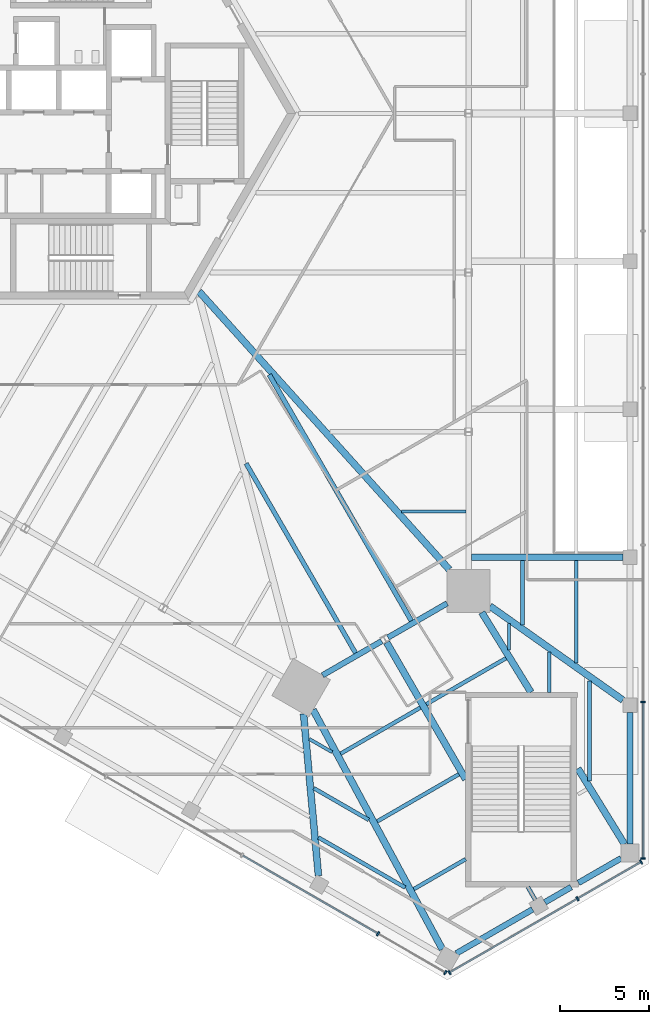
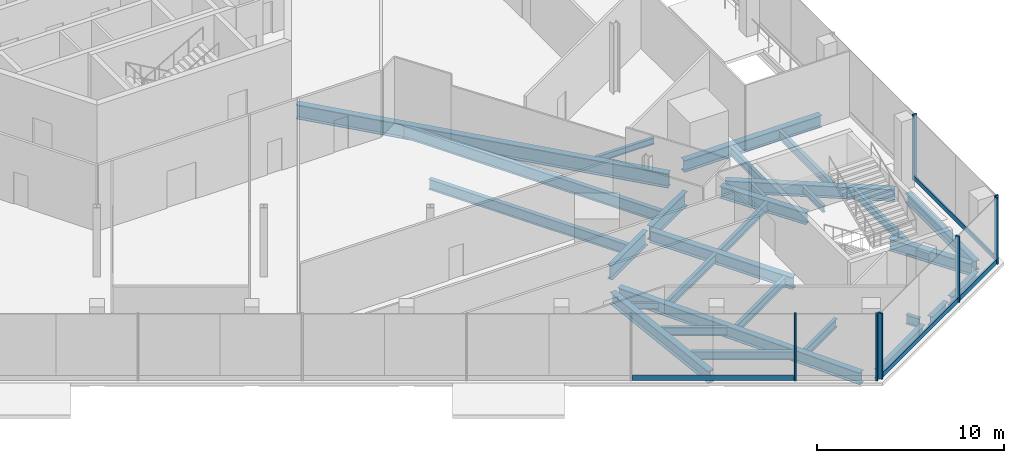
# One storey, part 10 of 27: 30 beams, 11 members, 3 elements without a shape of their own.
"""IFC4 building model written with IfcOpenShell, lengths in metres."""

import ifcopenshell
import ifcopenshell.guid

model = None  # the IFC model being written
_history = None  # IfcOwnerHistory: only IFC2X3 demands one
_inside = {}  # id of a spatial element -> (the spatial element, [elements in it])
_under = {}  # id of a project, library or spatial element -> (it, [spatial elements below it])
_declared = {}  # id of a project -> (the project, [libraries it declares])
_typed = {}  # id of a type object -> (the type object, [elements of that type])
_made_of = {}  # id of a material, layer set ... -> (it, [elements and type objects made of it])


def new_model(schema):
    """Start an empty IFC model of exactly this schema.

    Asked for "IFC4X3", IfcOpenShell would pick the latest addendum, in which some entities
    have other attributes; the version numbers below select the first issue.
    IFC2X3 requires an IfcOwnerHistory on every rooted entity: one is made here for all.
    """
    global model, _history
    if schema == "IFC4X3":
        model = ifcopenshell.file(schema_version=(4, 3, 0, 0))
    else:
        model = ifcopenshell.file(schema=schema)
    _inside.clear()
    _under.clear()
    _declared.clear()
    _typed.clear()
    _made_of.clear()
    _history = None
    if model.schema == "IFC2X3":
        org = make("IfcOrganization", Name="unknown")
        user = make(
            "IfcPersonAndOrganization",
            ThePerson=make("IfcPerson", FamilyName="unknown"),
            TheOrganization=org,
        )
        app = make(
            "IfcApplication",
            ApplicationDeveloper=org,
            Version="unknown",
            ApplicationFullName="unknown",
            ApplicationIdentifier="unknown",
        )
        _history = make(
            "IfcOwnerHistory",
            OwningUser=user,
            OwningApplication=app,
            ChangeAction="ADDED",
            CreationDate=0,
        )
    return model


def make(cls, **values):
    """One entity of the class cls with the attributes given. An attribute that is None is left unset."""
    return model.create_entity(
        cls, **{name: value for name, value in values.items() if value is not None}
    )


def rooted(cls, **values):
    """An entity with a GlobalId (a new one), such as an element, a storey or a relation."""
    return make(cls, GlobalId=ifcopenshell.guid.new(), OwnerHistory=_history, **values)


def si_unit(unit_type, name, prefix=None):
    """IfcSIUnit, for example si_unit("LENGTHUNIT", "METRE", prefix="MILLI")."""
    return make("IfcSIUnit", UnitType=unit_type, Prefix=prefix, Name=name)


def assignment(units):
    """IfcUnitAssignment: the units of a project."""
    return None if units is None else make("IfcUnitAssignment", Units=units)


def point(xyz):
    """IfcCartesianPoint."""
    return None if xyz is None else make("IfcCartesianPoint", Coordinates=xyz)


def direction(xyz):
    """IfcDirection."""
    return None if xyz is None else make("IfcDirection", DirectionRatios=xyz)


def frame(location, z_axis=None, x_axis=None):
    """IfcAxis2Placement3D, a coordinate frame: its origin and axes. An axis left out is left unset."""
    return make(
        "IfcAxis2Placement3D",
        Location=point(location),
        Axis=direction(z_axis),
        RefDirection=direction(x_axis),
    )


def frame_2d(location, x_axis=None):
    """IfcAxis2Placement2D, a coordinate frame in the plane: its origin and x axis."""
    return make(
        "IfcAxis2Placement2D", Location=point(location), RefDirection=direction(x_axis)
    )


def origin():
    """The frame at (0, 0, 0) with its axes left unset."""
    return frame((0.0, 0.0, 0.0))


def origin_2d():
    """The frame at (0, 0) in the plane with its x axis left unset."""
    return frame_2d((0.0, 0.0))


def place(relative_to, where):
    """IfcLocalPlacement: puts the frame where relative to a parent placement (None: the world)."""
    return make(
        "IfcLocalPlacement", PlacementRelTo=relative_to, RelativePlacement=where
    )


def context(
    kind, dimensions, precision=None, world=None, true_north=None, identifier=None
):
    """IfcGeometricRepresentationContext, for example the 3D "Model" context."""
    return make(
        "IfcGeometricRepresentationContext",
        ContextIdentifier=identifier,
        ContextType=kind,
        CoordinateSpaceDimension=dimensions,
        Precision=precision,
        WorldCoordinateSystem=world,
        TrueNorth=true_north,
    )


def subcontext(parent, identifier, kind, view, scale=None):
    """IfcGeometricRepresentationSubContext, for example "Body" below "Model"."""
    return make(
        "IfcGeometricRepresentationSubContext",
        ContextIdentifier=identifier,
        ContextType=kind,
        ParentContext=parent,
        TargetScale=scale,
        TargetView=view,
    )


def project(units=None, contexts=None):
    """IfcProject with its units and contexts."""
    return rooted(
        "IfcProject",
        Name="project",
        RepresentationContexts=contexts,
        UnitsInContext=assignment(units),
    )


def spatial(cls, under=None, at=None, **own):
    """A site, building, storey or space (cls), placed at a placement, below another one or the project."""
    s = rooted(cls, ObjectPlacement=at, **own)
    if under is not None:
        _under.setdefault(under.id(), (under, []))[1].append(s)
    return s


def profile(cls, at=None, kind="AREA", **sizes):
    """A parametric profile (cls). Its sizes go by their IFC names, for example OverallWidth=200.0."""
    return make(cls, ProfileType=kind, Position=at, **sizes)


def rectangle(**sizes):
    """IfcRectangleProfileDef."""
    return profile("IfcRectangleProfileDef", **sizes)


def i_section(**sizes):
    """IfcIShapeProfileDef."""
    return profile("IfcIShapeProfileDef", **sizes)


def extrude(swept, where, along, depth):
    """IfcExtrudedAreaSolid: the profile swept, set in the frame where, extruded along a direction by depth."""
    return make(
        "IfcExtrudedAreaSolid",
        SweptArea=swept,
        Position=where,
        ExtrudedDirection=direction(along),
        Depth=depth,
    )


def shape(context_of_items, identifier, shape_type, items):
    """IfcShapeRepresentation: the items that make up one representation, for example the "Body"."""
    return make(
        "IfcShapeRepresentation",
        ContextOfItems=context_of_items,
        RepresentationIdentifier=identifier,
        RepresentationType=shape_type,
        Items=items,
    )


def source(mapping_origin, context_of_items, identifier, shape_type, items):
    """IfcRepresentationMap: a shape defined once, which mapped items show again and again."""
    return make(
        "IfcRepresentationMap",
        MappingOrigin=mapping_origin,
        MappedRepresentation=shape(context_of_items, identifier, shape_type, items),
    )


def transform(
    local_origin,
    x_axis=None,
    y_axis=None,
    z_axis=None,
    scale=None,
    scale2=None,
    scale3=None,
    uniform=True,
):
    """IfcCartesianTransformationOperator3D, or its non-uniform kind. x_axis, y_axis, z_axis: its Axis1, 2, 3."""
    if uniform:
        return make(
            "IfcCartesianTransformationOperator3D",
            Axis1=direction(x_axis),
            Axis2=direction(y_axis),
            LocalOrigin=point(local_origin),
            Scale=scale,
            Axis3=direction(z_axis),
        )
    return make(
        "IfcCartesianTransformationOperator3DnonUniform",
        Axis1=direction(x_axis),
        Axis2=direction(y_axis),
        LocalOrigin=point(local_origin),
        Scale=scale,
        Axis3=direction(z_axis),
        Scale2=scale2,
        Scale3=scale3,
    )


def mapped(mapping_source, mapping_target):
    """IfcMappedItem: shows the shape of a source again, moved by a transform."""
    return make(
        "IfcMappedItem", MappingSource=mapping_source, MappingTarget=mapping_target
    )


def material(Name=None, Category=None):
    """IfcMaterial."""
    return make("IfcMaterial", Name=Name, Category=Category)


def material_profile(
    of_material, cross_section, Name=None, Category=None, Priority=None
):
    """IfcMaterialProfile: a cross section and its material."""
    return make(
        "IfcMaterialProfile",
        Name=Name,
        Material=of_material,
        Profile=cross_section,
        Priority=Priority,
        Category=Category,
    )


def profile_set(profiles, Name=None, composite=None):
    """IfcMaterialProfileSet."""
    return make(
        "IfcMaterialProfileSet",
        Name=Name,
        MaterialProfiles=profiles,
        CompositeProfile=composite,
    )


def made_of(thing, what):
    """Note that an element or type object is made of a material, layer set ...; save() writes the relation."""
    if what is not None:
        _made_of.setdefault(what.id(), (what, []))[1].append(thing)
    return thing


def type_object(cls, material=None, **own):
    """A type object (cls), such as IfcWallType, which elements share."""
    return made_of(rooted(cls, **own), material)


def element(
    cls,
    number,
    at=None,
    inside=None,
    cuts=None,
    type_object=None,
    material=None,
    context=None,
    identifier="Body",
    shape_type=None,
    held_by="IfcProductDefinitionShape",
    body=None,
    shapes=None,
    **own,
):
    """One element of the class cls, such as IfcWall. Its Tag is "e" and its number.

    at: its placement. inside: the storey or other place that contains it. cuts: it is an
    opening in that element (IfcRelVoidsElement). A single representation is given by context,
    identifier, shape_type and body (its items); several are given by shapes. held_by: the class
    of the entity that holds the representations. save() writes the other relations.
    """
    e = rooted(cls, Tag="e%d" % number, ObjectPlacement=at, **own)
    if body is not None:
        shapes = [shape(context, identifier, shape_type, body)]
    if shapes is not None:
        e.Representation = make(held_by, Representations=shapes)
    if inside is not None:
        _inside.setdefault(inside.id(), (inside, []))[1].append(e)
    if cuts is not None:
        rooted(
            "IfcRelVoidsElement", RelatingBuildingElement=cuts, RelatedOpeningElement=e
        )
    if type_object is not None:
        _typed.setdefault(type_object.id(), (type_object, []))[1].append(e)
    return made_of(e, material)


def aggregate(whole, parts):
    """IfcRelAggregates: a whole, such as a stair, and the parts it consists of."""
    return rooted("IfcRelAggregates", RelatingObject=whole, RelatedObjects=parts)


def save(model, path):
    """Write the relations noted so far, then the file.

    IfcRelAggregates (storeys below a building ...), IfcRelContainedInSpatialStructure (elements
    in a storey), IfcRelDefinesByType, IfcRelAssociatesMaterial and IfcRelDeclares: one each for
    every whole, place, type object, material and project.
    """
    for whole, parts in _under.values():
        aggregate(whole, parts)
    for where, things in _inside.values():
        rooted(
            "IfcRelContainedInSpatialStructure",
            RelatedElements=things,
            RelatingStructure=where,
        )
    for kind, things in _typed.values():
        rooted("IfcRelDefinesByType", RelatedObjects=things, RelatingType=kind)
    for what, things in _made_of.values():
        rooted("IfcRelAssociatesMaterial", RelatedObjects=things, RelatingMaterial=what)
    for by, libraries in _declared.values():
        rooted("IfcRelDeclares", RelatingContext=by, RelatedDefinitions=libraries)
    model.write(path)


model = new_model("IFC4")

# Units and contexts
model_context = context("Model", 3, precision=1e-05, world=origin(), true_north=direction((0.0, 1.0)))
body_context = subcontext(model_context, "Body", "Model", "MODEL_VIEW")
ifc_project = project(units=[si_unit("LENGTHUNIT", "METRE"), si_unit("AREAUNIT", "SQUARE_METRE"), si_unit("VOLUMEUNIT", "CUBIC_METRE"), si_unit("PLANEANGLEUNIT", "RADIAN"), si_unit("MASSUNIT", "GRAM", prefix="KILO")], contexts=[model_context])

# Site, building, storey
site_placement = place(None, origin())
site = spatial("IfcSite", under=ifc_project, at=site_placement, CompositionType="ELEMENT")
building_placement = place(site_placement, origin())
building = spatial("IfcBuilding", under=site, at=building_placement, Name="Triune Harvest Tower", CompositionType="ELEMENT")
storey_placement = place(building_placement, frame((0.0, 0.0, 7.0)))
storey = spatial("IfcBuildingStorey", under=building, at=storey_placement, Name="L01", CompositionType="ELEMENT", Elevation=7.0)

# Beams
ifc_material_1 = material(Name="Steel ASTM A992 Gr 50", Category="steel")
ifc_material_profile_1 = material_profile(ifc_material_1, i_section(OverallWidth=0.309814453125, OverallDepth=0.93212890625, WebThickness=0.02099609375, FlangeThickness=0.034423828125, at=origin_2d()), Name="W36x210")
ifc_profile_set_1 = profile_set([ifc_material_profile_1], Name="Steel ASTM A992 Gr 50")
beam_type_1 = type_object("IfcBeamType", Name="SB-3 Spandrel beam W36x210", PredefinedType="SPANDREL", material=ifc_profile_set_1)
shared_shape_1 = source(origin(), body_context, "Body", "SweptSolid", [
    extrude(i_section(OverallWidth=0.309814453125, OverallDepth=0.93212890625, WebThickness=0.02099609375, FlangeThickness=0.034423828125, at=origin_2d()), origin(), (0.0, 0.0, 1.0), 3.822265625),
])
beam_1_placement = place(storey_placement, frame((17.169189453125, -29.333984375, -0.666015625), z_axis=(0.866033487859, 0.499985997711, 0.0), x_axis=(-0.499985997711, 0.866033487859, 0.0)))
element("IfcBeam", 1, at=beam_1_placement, inside=storey, type_object=beam_type_1, Name="beam/L01/SB24", PredefinedType="SPANDREL", context=body_context, shape_type="MappedRepresentation", body=[
    mapped(shared_shape_1, transform((0.0, 0.0, 0.0), scale=1.0)),
])
shared_shape_2 = source(origin(), body_context, "Body", "SweptSolid", [
    extrude(i_section(OverallWidth=0.309814453125, OverallDepth=0.93212890625, WebThickness=0.02099609375, FlangeThickness=0.034423828125, at=origin_2d()), origin(), (0.0, 0.0, 1.0), 3.822509765625),
])
beam_2_placement = place(storey_placement, frame((13.509033203125, -31.447265625, -0.666015625), z_axis=(0.866005830769, 0.500033899925, 0.0), x_axis=(-0.500033899925, 0.866005830769, 0.0)))
element("IfcBeam", 2, at=beam_2_placement, inside=storey, type_object=beam_type_1, Name="beam/L01/SB23", PredefinedType="SPANDREL", context=body_context, shape_type="MappedRepresentation", body=[
    mapped(shared_shape_2, transform((0.0, 0.0, 0.0), scale=1.0)),
])
ifc_material_2 = material(Name="Steel ASTM A992 Gr 50", Category="steel")
ifc_material_profile_2 = material_profile(ifc_material_2, i_section(OverallWidth=0.383544921875, OverallDepth=0.9423828125, WebThickness=0.022216796875, FlangeThickness=0.039794921875, at=origin_2d()), Name="W36x232")
ifc_profile_set_2 = profile_set([ifc_material_profile_2], Name="Steel ASTM A992 Gr 50")
beam_type_2 = type_object("IfcBeamType", Name="HG-1 Hip girder W36x232", PredefinedType="BEAM", material=ifc_profile_set_2)
shared_shape_3 = source(origin(), body_context, "Body", "SweptSolid", [
    extrude(i_section(OverallWidth=0.383544921875, OverallDepth=0.9423828125, WebThickness=0.022216796875, FlangeThickness=0.039794921875, at=origin_2d()), origin(), (0.0, 0.0, 1.0), 20.933349609375),
])
beam_3_placement = place(storey_placement, frame((20.599365234375, -25.530029296875, -0.671142578125), z_axis=(-0.668990505388, 0.743270949049, 0.0), x_axis=(-0.743270949049, -0.668990505388, 0.0)))
element("IfcBeam", 3, at=beam_3_placement, inside=storey, type_object=beam_type_2, Name="beam/L01/HG1", PredefinedType="BEAM", context=body_context, shape_type="MappedRepresentation", body=[
    mapped(shared_shape_3, transform((0.0, 0.0, 0.0), scale=1.0)),
])
ifc_material_3 = material(Name="Steel ASTM A992 Gr 50", Category="steel")
ifc_material_profile_3 = material_profile(ifc_material_3, i_section(OverallWidth=0.180908203125, OverallDepth=0.41650390625, WebThickness=0.010986328125, FlangeThickness=0.01806640625, at=origin_2d()), Name="W16x57")
ifc_profile_set_3 = profile_set([ifc_material_profile_3], Name="Steel ASTM A992 Gr 50")
beam_type_3 = type_object("IfcBeamType", Name="JT-1 Floor joist W16x57", PredefinedType="JOIST", material=ifc_profile_set_3)
shared_shape_4 = source(origin(), body_context, "Body", "SweptSolid", [
    extrude(i_section(OverallWidth=0.180908203125, OverallDepth=0.41650390625, WebThickness=0.010986328125, FlangeThickness=0.01806640625, at=origin_2d()), origin(), (0.0, 0.0, 1.0), 3.596923828125),
])
beam_4_placement = place(storey_placement, frame((21.524658203125, -22.27490234375, -0.408203125), z_axis=(-1.0, 0.0, 0.0), x_axis=(0.0, -1.0, 0.0)))
element("IfcBeam", 4, at=beam_4_placement, inside=storey, type_object=beam_type_3, Name="beam/L01/JT1", PredefinedType="JOIST", context=body_context, shape_type="MappedRepresentation", body=[
    mapped(shared_shape_4, transform((0.0, 0.0, 0.0), scale=1.0)),
])
ifc_material_4 = material(Name="Steel ASTM A992 Gr 50", Category="steel")
ifc_material_profile_4 = material_profile(ifc_material_4, i_section(OverallWidth=0.2666015625, OverallDepth=0.7568359375, WebThickness=0.013916015625, FlangeThickness=0.019287109375, at=origin_2d()), Name="W30x108")
ifc_profile_set_4 = profile_set([ifc_material_profile_4], Name="Steel ASTM A992 Gr 50")
beam_type_4 = type_object("IfcBeamType", Name="JT-5 Floor joist W30x108", PredefinedType="JOIST", material=ifc_profile_set_4)
shared_shape_5 = source(origin(), body_context, "Body", "SweptSolid", [
    extrude(i_section(OverallWidth=0.2666015625, OverallDepth=0.7568359375, WebThickness=0.013916015625, FlangeThickness=0.019287109375, at=origin_2d()), origin(), (0.0, 0.0, 1.0), 15.9052734375),
])
beam_5_placement = place(storey_placement, frame((18.478515625, -28.399169921875, -0.57861328125), z_axis=(-0.499998823592, 0.866026082983, 0.0), x_axis=(-0.866026082983, -0.499998823592, 0.0)))
element("IfcBeam", 5, at=beam_5_placement, inside=storey, type_object=beam_type_4, Name="beam/L01/JT39", PredefinedType="JOIST", context=body_context, shape_type="MappedRepresentation", body=[
    mapped(shared_shape_5, transform((0.0, 0.0, 0.0), scale=1.0)),
])
ifc_material_5 = material(Name="Steel ASTM A992 Gr 50", Category="steel")
ifc_material_profile_5 = material_profile(ifc_material_5, i_section(OverallWidth=0.253662109375, OverallDepth=0.683349609375, WebThickness=0.012451171875, FlangeThickness=0.01904296875, at=origin_2d()), Name="W27x94")
ifc_profile_set_5 = profile_set([ifc_material_profile_5], Name="Steel ASTM A992 Gr 50")
beam_type_5 = type_object("IfcBeamType", Name="JT-4 Floor joist W27x94", PredefinedType="JOIST", material=ifc_profile_set_5)
shared_shape_6 = source(origin(), body_context, "Body", "SweptSolid", [
    extrude(i_section(OverallWidth=0.253662109375, OverallDepth=0.683349609375, WebThickness=0.012451171875, FlangeThickness=0.01904296875, at=origin_2d()), origin(), (0.0, 0.0, 1.0), 12.248291015625),
])
beam_6_placement = place(storey_placement, frame((15.35498046875, -30.202392578125, -0.54150390625), z_axis=(-0.499989318644, 0.86603157058, 0.0), x_axis=(-0.86603157058, -0.499989318644, 0.0)))
element("IfcBeam", 6, at=beam_6_placement, inside=storey, type_object=beam_type_5, Name="beam/L01/JT38", PredefinedType="JOIST", context=body_context, shape_type="MappedRepresentation", body=[
    mapped(shared_shape_6, transform((0.0, 0.0, 0.0), scale=1.0)),
])
ifc_material_6 = material(Name="Steel ASTM A992 Gr 50", Category="steel")
ifc_material_profile_6 = material_profile(ifc_material_6, i_section(OverallWidth=0.32763671875, OverallDepth=0.62744140625, WebThickness=0.0166015625, FlangeThickness=0.027587890625, at=origin_2d()), Name="W24x146")
ifc_profile_set_6 = profile_set([ifc_material_profile_6], Name="Steel ASTM A992 Gr 50")
beam_type_6 = type_object("IfcBeamType", Name="PD-4 Podium edge beam W24x146", PredefinedType="BEAM", material=ifc_profile_set_6)
shared_shape_7 = source(origin(), body_context, "Body", "SweptSolid", [
    extrude(i_section(OverallWidth=0.32763671875, OverallDepth=0.62744140625, WebThickness=0.0166015625, FlangeThickness=0.027587890625, at=origin_2d()), origin(), (0.0, 0.0, 1.0), 7.3798828125),
])
beam_7_placement = place(storey_placement, frame((30.715087890625, -40.89990234375, -0.513671875), z_axis=(0.0, 1.0, 0.0), x_axis=(-1.0, 0.0, 0.0)))
element("IfcBeam", 7, at=beam_7_placement, inside=storey, type_object=beam_type_6, Name="beam/L01/PE1", PredefinedType="BEAM", context=body_context, shape_type="MappedRepresentation", body=[
    mapped(shared_shape_7, transform((0.0, 0.0, 0.0), scale=1.0)),
])
shared_shape_8 = source(origin(), body_context, "Body", "SweptSolid", [
    extrude(i_section(OverallWidth=0.32763671875, OverallDepth=0.62744140625, WebThickness=0.0166015625, FlangeThickness=0.027587890625, at=origin_2d()), origin(), (0.0, 0.0, 1.0), 2.75390625),
])
beam_8_placement = place(storey_placement, frame((27.830078125, -43.065673828125, -0.513671875), z_axis=(0.866030577522, 0.499991038717, 0.0), x_axis=(-0.499991038717, 0.866030577522, 0.0)))
element("IfcBeam", 8, at=beam_8_placement, inside=storey, type_object=beam_type_6, Name="beam/L01/PE38", PredefinedType="BEAM", context=body_context, shape_type="MappedRepresentation", body=[
    mapped(shared_shape_8, transform((0.0, 0.0, 0.0), scale=1.0)),
])
shared_shape_9 = source(origin(), body_context, "Body", "SweptSolid", [
    extrude(i_section(OverallWidth=0.32763671875, OverallDepth=0.62744140625, WebThickness=0.0166015625, FlangeThickness=0.027587890625, at=origin_2d()), origin(), (0.0, 0.0, 1.0), 1.699951171875),
])
beam_9_placement = place(storey_placement, frame((25.951904296875, -44.14990234375, -0.513671875), z_axis=(0.866087547558, 0.499892348375, 0.0), x_axis=(-0.499892348375, 0.866087547558, 0.0)))
element("IfcBeam", 9, at=beam_9_placement, inside=storey, type_object=beam_type_6, Name="beam/L01/PE37", PredefinedType="BEAM", context=body_context, shape_type="MappedRepresentation", body=[
    mapped(shared_shape_9, transform((0.0, 0.0, 0.0), scale=1.0)),
])
shared_shape_10 = source(origin(), body_context, "Body", "SweptSolid", [
    extrude(i_section(OverallWidth=0.32763671875, OverallDepth=0.62744140625, WebThickness=0.0166015625, FlangeThickness=0.027587890625, at=origin_2d()), origin(), (0.0, 0.0, 1.0), 4.922607421875),
])
beam_10_placement = place(storey_placement, frame((20.995849609375, -47.01123046875, -0.513671875), z_axis=(0.866040230151, 0.499974319101, 0.0), x_axis=(-0.499974319101, 0.866040230151, 0.0)))
element("IfcBeam", 10, at=beam_10_placement, inside=storey, type_object=beam_type_6, Name="beam/L01/PE36", PredefinedType="BEAM", context=body_context, shape_type="MappedRepresentation", body=[
    mapped(shared_shape_10, transform((0.0, 0.0, 0.0), scale=1.0)),
])
ifc_material_7 = material(Name="Steel ASTM A992 Gr 50", Category="steel")
ifc_material_profile_7 = material_profile(ifc_material_7, i_section(OverallWidth=0.381103515625, OverallDepth=0.772216796875, WebThickness=0.0166015625, FlangeThickness=0.027099609375, at=origin_2d()), Name="W30x173")
ifc_profile_set_7 = profile_set([ifc_material_profile_7], Name="Steel ASTM A992 Gr 50")
beam_type_7 = type_object("IfcBeamType", Name="PD-3 Podium girder W30x173", PredefinedType="BEAM", material=ifc_profile_set_7)
shared_shape_11 = source(origin(), body_context, "Body", "SweptSolid", [
    extrude(i_section(OverallWidth=0.381103515625, OverallDepth=0.772216796875, WebThickness=0.0166015625, FlangeThickness=0.027099609375, at=origin_2d()), origin(), (0.0, 0.0, 1.0), 4.97119140625),
])
beam_11_placement = place(storey_placement, frame((30.406982421875, -40.89990234375, -0.586181640625), z_axis=(-0.524420727845, 0.851459276892, 0.0), x_axis=(-0.851459276892, -0.524420727845, 0.0)))
element("IfcBeam", 11, at=beam_11_placement, inside=storey, type_object=beam_type_7, Name="beam/L01/PR1", PredefinedType="BEAM", context=body_context, shape_type="MappedRepresentation", body=[
    mapped(shared_shape_11, transform((0.0, 0.0, 0.0), scale=1.0)),
])
shared_shape_12 = source(origin(), body_context, "Body", "SweptSolid", [
    extrude(i_section(OverallWidth=0.381103515625, OverallDepth=0.772216796875, WebThickness=0.0166015625, FlangeThickness=0.027099609375, at=origin_2d()), origin(), (0.0, 0.0, 1.0), 5.249755859375),
])
beam_12_placement = place(storey_placement, frame((25.171875, -32.39990234375, -0.586181640625), z_axis=(-0.524432098378, 0.851452273584, 0.0), x_axis=(-0.851452273584, -0.524432098378, 0.0)))
element("IfcBeam", 12, at=beam_12_placement, inside=storey, type_object=beam_type_7, Name="beam/L01/PR2", PredefinedType="BEAM", context=body_context, shape_type="MappedRepresentation", body=[
    mapped(shared_shape_12, transform((0.0, 0.0, 0.0), scale=1.0)),
])
shared_shape_13 = source(origin(), body_context, "Body", "SweptSolid", [
    extrude(i_section(OverallWidth=0.381103515625, OverallDepth=0.772216796875, WebThickness=0.0166015625, FlangeThickness=0.027099609375, at=origin_2d()), origin(), (0.0, 0.0, 1.0), 9.107421875),
])
beam_13_placement = place(storey_placement, frame((30.315185546875, -32.837158203125, -0.586181640625), z_axis=(-0.816463107169, 0.577397605323, 0.0), x_axis=(-0.577397605323, -0.816463107169, 0.0)))
element("IfcBeam", 13, at=beam_13_placement, inside=storey, type_object=beam_type_7, Name="beam/L01/PR3", PredefinedType="BEAM", context=body_context, shape_type="MappedRepresentation", body=[
    mapped(shared_shape_13, transform((0.0, 0.0, 0.0), scale=1.0)),
])
shared_shape_14 = source(origin(), body_context, "Body", "SweptSolid", [
    extrude(i_section(OverallWidth=0.381103515625, OverallDepth=0.772216796875, WebThickness=0.0166015625, FlangeThickness=0.027099609375, at=origin_2d()), origin(), (0.0, 0.0, 1.0), 8.480712890625),
])
beam_14_placement = place(storey_placement, frame((30.315185546875, -24.840087890625, -0.586181640625), z_axis=(-1.0, 0.0, 0.0), x_axis=(0.0, -1.0, 0.0)))
element("IfcBeam", 14, at=beam_14_placement, inside=storey, type_object=beam_type_7, Name="beam/L01/PR4", PredefinedType="BEAM", context=body_context, shape_type="MappedRepresentation", body=[
    mapped(shared_shape_14, transform((0.0, 0.0, 0.0), scale=1.0)),
])
ifc_material_8 = material(Name="Steel ASTM A992 Gr 50", Category="steel")
ifc_material_profile_8 = material_profile(ifc_material_8, i_section(OverallWidth=0.22900390625, OverallDepth=0.612060546875, WebThickness=0.011962890625, FlangeThickness=0.01953125, at=origin_2d()), Name="W24x84")
ifc_profile_set_8 = profile_set([ifc_material_profile_8], Name="Steel ASTM A992 Gr 50")
beam_type_8 = type_object("IfcBeamType", Name="PD-7 Podium short girder W24x84", PredefinedType="BEAM", material=ifc_profile_set_8)
shared_shape_15 = source(origin(), body_context, "Body", "SweptSolid", [
    extrude(i_section(OverallWidth=0.22900390625, OverallDepth=0.612060546875, WebThickness=0.011962890625, FlangeThickness=0.01953125, at=origin_2d()), origin(), (0.0, 0.0, 1.0), 0.8125),
])
beam_15_placement = place(storey_placement, frame((25.405517578125, -44.003662109375, -0.506103515625), z_axis=(-0.500017246033, 0.866015446554, 0.0), x_axis=(-0.866015446554, -0.500017246033, 0.0)))
element("IfcBeam", 15, at=beam_15_placement, inside=storey, type_object=beam_type_8, Name="beam/L01/PR39", PredefinedType="BEAM", context=body_context, shape_type="MappedRepresentation", body=[
    mapped(shared_shape_15, transform((0.0, 0.0, 0.0), scale=1.0)),
])
shared_shape_16 = source(origin(), body_context, "Body", "SweptSolid", [
    extrude(i_section(OverallWidth=0.381103515625, OverallDepth=0.772216796875, WebThickness=0.0166015625, FlangeThickness=0.027099609375, at=origin_2d()), origin(), (0.0, 0.0, 1.0), 8.84814453125),
])
beam_16_placement = place(storey_placement, frame((21.52001953125, -37.273681640625, -0.586181640625), z_axis=(-0.500005886554, 0.866022005154, 0.0), x_axis=(-0.866022005154, -0.500005886554, 0.0)))
element("IfcBeam", 16, at=beam_16_placement, inside=storey, type_object=beam_type_7, Name="beam/L01/PR40", PredefinedType="BEAM", context=body_context, shape_type="MappedRepresentation", body=[
    mapped(shared_shape_16, transform((0.0, 0.0, 0.0), scale=1.0)),
])
shared_shape_17 = source(origin(), body_context, "Body", "SweptSolid", [
    extrude(i_section(OverallWidth=0.381103515625, OverallDepth=0.772216796875, WebThickness=0.0166015625, FlangeThickness=0.027099609375, at=origin_2d()), origin(), (0.0, 0.0, 1.0), 15.232666015625),
])
beam_17_placement = place(storey_placement, frame((20.216796875, -46.783203125, -0.586181640625), z_axis=(-0.475168024555, 0.879895078086, 0.0), x_axis=(-0.879895078086, -0.475168024555, 0.0)))
element("IfcBeam", 17, at=beam_17_placement, inside=storey, type_object=beam_type_7, Name="beam/L01/PR38", PredefinedType="BEAM", context=body_context, shape_type="MappedRepresentation", body=[
    mapped(shared_shape_17, transform((0.0, 0.0, 0.0), scale=1.0)),
])
shared_shape_18 = source(origin(), body_context, "Body", "SweptSolid", [
    extrude(i_section(OverallWidth=0.381103515625, OverallDepth=0.772216796875, WebThickness=0.0166015625, FlangeThickness=0.027099609375, at=origin_2d()), origin(), (0.0, 0.0, 1.0), 9.107177734375),
])
beam_18_placement = place(storey_placement, frame((13.2802734375, -42.672119140625, -0.586181640625), z_axis=(-0.091816732647, 0.995775922387, 0.0), x_axis=(-0.995775922387, -0.091816732647, 0.0)))
element("IfcBeam", 18, at=beam_18_placement, inside=storey, type_object=beam_type_7, Name="beam/L01/PR37", PredefinedType="BEAM", context=body_context, shape_type="MappedRepresentation", body=[
    mapped(shared_shape_18, transform((0.0, 0.0, 0.0), scale=1.0)),
])
ifc_material_9 = material(Name="Steel ASTM A992 Gr 50", Category="steel")
ifc_material_profile_9 = material_profile(ifc_material_9, i_section(OverallWidth=0.2138671875, OverallDepth=0.548583984375, WebThickness=0.0146484375, FlangeThickness=0.023681640625, at=origin_2d()), Name="W21x93")
ifc_profile_set_9 = profile_set([ifc_material_profile_9], Name="Steel ASTM A992 Gr 50")
beam_type_9 = type_object("IfcBeamType", Name="PD-5 Podium joist W21x93", PredefinedType="JOIST", material=ifc_profile_set_9)
shared_shape_19 = source(origin(), body_context, "Body", "SweptSolid", [
    extrude(i_section(OverallWidth=0.2138671875, OverallDepth=0.548583984375, WebThickness=0.0146484375, FlangeThickness=0.023681640625, at=origin_2d()), origin(), (0.0, 0.0, 1.0), 5.613525390625),
])
beam_19_placement = place(storey_placement, frame((28.456298828125, -37.369384765625, -0.474365234375), z_axis=(0.0, 1.0, 0.0), x_axis=(-1.0, 0.0, 0.0)))
element("IfcBeam", 19, at=beam_19_placement, inside=storey, type_object=beam_type_9, Name="beam/L01/PJ1", PredefinedType="JOIST", context=body_context, shape_type="MappedRepresentation", body=[
    mapped(shared_shape_19, transform((0.0, 0.0, 0.0), scale=1.0)),
])
ifc_material_10 = material(Name="Steel ASTM A992 Gr 50", Category="steel")
ifc_material_profile_10 = material_profile(ifc_material_10, i_section(OverallWidth=0.180908203125, OverallDepth=0.41650390625, WebThickness=0.010986328125, FlangeThickness=0.01806640625, at=origin_2d()), Name="W16x57")
ifc_profile_set_10 = profile_set([ifc_material_profile_10], Name="Steel ASTM A992 Gr 50")
beam_type_10 = type_object("IfcBeamType", Name="PD-6 Podium short joist W16x57", PredefinedType="JOIST", material=ifc_profile_set_10)
shared_shape_20 = source(origin(), body_context, "Body", "SweptSolid", [
    extrude(i_section(OverallWidth=0.180908203125, OverallDepth=0.41650390625, WebThickness=0.010986328125, FlangeThickness=0.01806640625, at=origin_2d()), origin(), (0.0, 0.0, 1.0), 2.24169921875),
])
beam_20_placement = place(storey_placement, frame((26.197265625, -32.39990234375, -0.408203125), z_axis=(0.0, 1.0, 0.0), x_axis=(-1.0, 0.0, 0.0)))
element("IfcBeam", 20, at=beam_20_placement, inside=storey, type_object=beam_type_10, Name="beam/L01/PJ2", PredefinedType="JOIST", context=body_context, shape_type="MappedRepresentation", body=[
    mapped(shared_shape_20, transform((0.0, 0.0, 0.0), scale=1.0)),
])
shared_shape_21 = source(origin(), body_context, "Body", "SweptSolid", [
    extrude(i_section(OverallWidth=0.180908203125, OverallDepth=0.41650390625, WebThickness=0.010986328125, FlangeThickness=0.01806640625, at=origin_2d()), origin(), (0.0, 0.0, 1.0), 1.473388671875),
])
for number, where, z_axis, x_axis, name in (
    (21, (23.9384765625, -30.0341796875, -0.408203125), (0.0, 1.0, 0.0), (-1.0, 0.0, 0.0), "beam/L01/PJ3"),
    (22, (12.76513671875, -35.01171875, -0.408203125), (0.866083503307, -0.499899355171, 0.0), (0.499899355171, 0.866083503307, 0.0), "beam/L01/PJ77"),
):
    element("IfcBeam", number, at=place(storey_placement, frame(where, z_axis=z_axis, x_axis=x_axis)), inside=storey, type_object=beam_type_10, Name=name, PredefinedType="JOIST", context=body_context, shape_type="MappedRepresentation", body=[
        mapped(shared_shape_21, transform((0.0, 0.0, 0.0), scale=1.0)),
    ])
shared_shape_22 = source(origin(), body_context, "Body", "SweptSolid", [
    extrude(i_section(OverallWidth=0.2138671875, OverallDepth=0.548583984375, WebThickness=0.0146484375, FlangeThickness=0.023681640625, at=origin_2d()), origin(), (0.0, 0.0, 1.0), 5.72607421875),
])
beam_21_placement = place(storey_placement, frame((27.703125, -30.756591796875, -0.474365234375), z_axis=(0.0, 1.0, 0.0), x_axis=(-1.0, 0.0, 0.0)))
element("IfcBeam", 23, at=beam_21_placement, inside=storey, type_object=beam_type_9, Name="beam/L01/PJ4", PredefinedType="JOIST", context=body_context, shape_type="MappedRepresentation", body=[
    mapped(shared_shape_22, transform((0.0, 0.0, 0.0), scale=1.0)),
])
shared_shape_23 = source(origin(), body_context, "Body", "SweptSolid", [
    extrude(i_section(OverallWidth=0.2138671875, OverallDepth=0.548583984375, WebThickness=0.0146484375, FlangeThickness=0.023681640625, at=origin_2d()), origin(), (0.0, 0.0, 1.0), 3.59619140625),
])
beam_22_placement = place(storey_placement, frame((24.69140625, -28.626708984375, -0.474365234375), z_axis=(0.0, 1.0, 0.0), x_axis=(-1.0, 0.0, 0.0)))
element("IfcBeam", 24, at=beam_22_placement, inside=storey, type_object=beam_type_9, Name="beam/L01/PJ5", PredefinedType="JOIST", context=body_context, shape_type="MappedRepresentation", body=[
    mapped(shared_shape_23, transform((0.0, 0.0, 0.0), scale=1.0)),
])
shared_shape_24 = source(origin(), body_context, "Body", "SweptSolid", [
    extrude(i_section(OverallWidth=0.2138671875, OverallDepth=0.548583984375, WebThickness=0.0146484375, FlangeThickness=0.023681640625, at=origin_2d()), origin(), (0.0, 0.0, 1.0), 5.151611328125),
])
beam_23_placement = place(storey_placement, frame((19.31201171875, -33.068603515625, -0.474365234375), z_axis=(0.866035639972, 0.499982269985, 0.0), x_axis=(-0.499982269985, 0.866035639972, 0.0)))
element("IfcBeam", 25, at=beam_23_placement, inside=storey, type_object=beam_type_9, Name="beam/L01/PJ82", PredefinedType="JOIST", context=body_context, shape_type="MappedRepresentation", body=[
    mapped(shared_shape_24, transform((0.0, 0.0, 0.0), scale=1.0)),
])
shared_shape_25 = source(origin(), body_context, "Body", "SweptSolid", [
    extrude(i_section(OverallWidth=0.2138671875, OverallDepth=0.548583984375, WebThickness=0.0146484375, FlangeThickness=0.023681640625, at=origin_2d()), origin(), (0.0, 0.0, 1.0), 3.355224609375),
])
beam_24_placement = place(storey_placement, frame((18.6142578125, -43.414794921875, -0.474365234375), z_axis=(0.866013522419, 0.500020578564, 0.0), x_axis=(-0.500020578564, 0.866013522419, 0.0)))
element("IfcBeam", 26, at=beam_24_placement, inside=storey, type_object=beam_type_9, Name="beam/L01/PJ78", PredefinedType="JOIST", context=body_context, shape_type="MappedRepresentation", body=[
    mapped(shared_shape_25, transform((0.0, 0.0, 0.0), scale=1.0)),
])
shared_shape_26 = source(origin(), body_context, "Body", "SweptSolid", [
    extrude(i_section(OverallWidth=0.2138671875, OverallDepth=0.548583984375, WebThickness=0.0146484375, FlangeThickness=0.023681640625, at=origin_2d()), origin(), (0.0, 0.0, 1.0), 5.27392578125),
])
beam_25_placement = place(storey_placement, frame((16.567626953125, -39.624755859375, -0.474365234375), z_axis=(0.866026783594, 0.499997610092, 0.0), x_axis=(-0.499997610092, 0.866026783594, 0.0)))
element("IfcBeam", 27, at=beam_25_placement, inside=storey, type_object=beam_type_9, Name="beam/L01/PJ79", PredefinedType="JOIST", context=body_context, shape_type="MappedRepresentation", body=[
    mapped(shared_shape_26, transform((0.0, 0.0, 0.0), scale=1.0)),
])
shared_shape_27 = source(origin(), body_context, "Body", "SweptSolid", [
    extrude(i_section(OverallWidth=0.2138671875, OverallDepth=0.548583984375, WebThickness=0.0146484375, FlangeThickness=0.023681640625, at=origin_2d()), origin(), (0.0, 0.0, 1.0), 5.1513671875),
])
beam_26_placement = place(storey_placement, frame((14.52099609375, -35.834716796875, -0.474365234375), z_axis=(0.866023792161, 0.500002791403, 0.0), x_axis=(-0.500002791403, 0.866023792161, 0.0)))
element("IfcBeam", 28, at=beam_26_placement, inside=storey, type_object=beam_type_9, Name="beam/L01/PJ80", PredefinedType="JOIST", context=body_context, shape_type="MappedRepresentation", body=[
    mapped(shared_shape_27, transform((0.0, 0.0, 0.0), scale=1.0)),
])
shared_shape_28 = source(origin(), body_context, "Body", "SweptSolid", [
    extrude(i_section(OverallWidth=0.2138671875, OverallDepth=0.548583984375, WebThickness=0.0146484375, FlangeThickness=0.023681640625, at=origin_2d()), origin(), (0.0, 0.0, 1.0), 5.61376953125),
])
beam_27_placement = place(storey_placement, frame((13.273193359375, -40.521484375, -0.474365234375), z_axis=(0.866021183736, -0.500007309266, 0.0), x_axis=(0.500007309266, 0.866021183736, 0.0)))
element("IfcBeam", 29, at=beam_27_placement, inside=storey, type_object=beam_type_9, Name="beam/L01/PJ75", PredefinedType="JOIST", context=body_context, shape_type="MappedRepresentation", body=[
    mapped(shared_shape_28, transform((0.0, 0.0, 0.0), scale=1.0)),
])
shared_shape_29 = source(origin(), body_context, "Body", "SweptSolid", [
    extrude(i_section(OverallWidth=0.2138671875, OverallDepth=0.548583984375, WebThickness=0.0146484375, FlangeThickness=0.023681640625, at=origin_2d()), origin(), (0.0, 0.0, 1.0), 3.54345703125),
])
beam_28_placement = place(storey_placement, frame((13.019287109375, -37.7666015625, -0.474365234375), z_axis=(0.866016916595, -0.500014699955, 0.0), x_axis=(0.500014699955, 0.866016916595, 0.0)))
element("IfcBeam", 30, at=beam_28_placement, inside=storey, type_object=beam_type_9, Name="beam/L01/PJ76", PredefinedType="JOIST", context=body_context, shape_type="MappedRepresentation", body=[
    mapped(shared_shape_29, transform((0.0, 0.0, 0.0), scale=1.0)),
])

# Curtain wall, members
ifc_material_11 = material(Name="Aluminium bronze anodised", Category="aluminium")
curtain_wall_type = type_object("IfcCurtainWallType", Name="CW-2 Podium shopfront wall", PredefinedType="NOTDEFINED", material=ifc_material_11)
curtain_wall_1_placement = place(storey_placement, origin())
curtain_wall_1 = element("IfcCurtainWall", 31, at=curtain_wall_1_placement, inside=storey, type_object=curtain_wall_type, Name="CW-2 PD-F1 L01 run 1")
ifc_material_12 = material(Name="Aluminium bronze anodised", Category="aluminium")
ifc_material_profile_11 = material_profile(ifc_material_12, rectangle(XDim=0.25, YDim=0.090087890625, at=origin_2d()), Name="MU-2 mullion 90 x 250")
ifc_profile_set_11 = profile_set([ifc_material_profile_11], Name="Aluminium bronze anodised")
member_type_1 = type_object("IfcMemberType", Name="MU-2 mullion 90 x 250", PredefinedType="MULLION", material=ifc_profile_set_11)
shared_shape_30 = source(origin(), body_context, "Body", "SweptSolid", [
    extrude(rectangle(XDim=0.25, YDim=0.090087890625, at=origin_2d()), origin(), (0.0, 0.0, 1.0), 4.300048828125),
])
member_1_placement = place(storey_placement, frame((31.454345703125, -41.69189453125, 0.0), z_axis=(0.0, 0.0, 1.0), x_axis=(-1.0, 0.0, 0.0)))
member_1 = element("IfcMember", 32, at=member_1_placement, type_object=member_type_1, Name="CW-2 mullion PD-F1 1.1", PredefinedType="MULLION", context=body_context, shape_type="MappedRepresentation", body=[
    mapped(shared_shape_30, transform((0.0, 0.0, 0.0), scale=1.0)),
])
member_2_placement = place(storey_placement, frame((31.454345703125, -32.9501953125, 0.0), z_axis=(0.0, 0.0, 1.0), x_axis=(-1.0, 0.0, 0.0)))
member_2 = element("IfcMember", 33, at=member_2_placement, type_object=member_type_1, Name="CW-2 mullion PD-F1 1.3", PredefinedType="MULLION", context=body_context, shape_type="MappedRepresentation", body=[
    mapped(shared_shape_30, transform((0.0, 0.0, 0.0), scale=1.0)),
])

curtain_wall_2_placement = place(storey_placement, origin())
curtain_wall_2 = element("IfcCurtainWall", 34, at=curtain_wall_2_placement, inside=storey, type_object=curtain_wall_type, Name="CW-2 PD-F5 L01 run 1")
member_3_placement = place(storey_placement, frame((16.61328125, -45.911865234375, 0.0), z_axis=(0.0, 0.0, 1.0), x_axis=(0.500000221117, 0.866025276122, 0.0)))
member_3 = element("IfcMember", 35, at=member_3_placement, type_object=member_type_1, Name="CW-2 mullion PD-F5 1.19", PredefinedType="MULLION", context=body_context, shape_type="MappedRepresentation", body=[
    mapped(shared_shape_30, transform((0.0, 0.0, 0.0), scale=1.0)),
])
member_4_placement = place(storey_placement, frame((20.37890625, -48.086181640625, 0.0), z_axis=(0.0, 0.0, 1.0), x_axis=(0.500000221117, 0.866025276122, 0.0)))
member_4 = element("IfcMember", 36, at=member_4_placement, type_object=member_type_1, Name="CW-2 mullion PD-F5 1.20", PredefinedType="MULLION", context=body_context, shape_type="MappedRepresentation", body=[
    mapped(shared_shape_30, transform((0.0, 0.0, 0.0), scale=1.0)),
])

curtain_wall_3_placement = place(storey_placement, origin())
curtain_wall_3 = element("IfcCurtainWall", 37, at=curtain_wall_3_placement, inside=storey, type_object=curtain_wall_type, Name="CW-2 PD-F6 L01 run 1")
member_5_placement = place(storey_placement, frame((20.61279296875, -48.086181640625, 0.0), z_axis=(0.0, 0.0, 1.0), x_axis=(-0.49999791425, 0.866026607989, 0.0)))
member_5 = element("IfcMember", 38, at=member_5_placement, type_object=member_type_1, Name="CW-2 mullion PD-F6 1.1", PredefinedType="MULLION", context=body_context, shape_type="MappedRepresentation", body=[
    mapped(shared_shape_30, transform((0.0, 0.0, 0.0), scale=1.0)),
])
member_6_placement = place(storey_placement, frame((27.775634765625, -43.95068359375, 0.0), z_axis=(0.0, 0.0, 1.0), x_axis=(-0.49999791425, 0.866026607989, 0.0)))
member_6 = element("IfcMember", 39, at=member_6_placement, type_object=member_type_1, Name="CW-2 mullion PD-F6 1.3", PredefinedType="MULLION", context=body_context, shape_type="MappedRepresentation", body=[
    mapped(shared_shape_30, transform((0.0, 0.0, 0.0), scale=1.0)),
])
member_7_placement = place(storey_placement, frame((31.33740234375, -41.894287109375, 0.0), z_axis=(0.0, 0.0, 1.0), x_axis=(-0.49999791425, 0.866026607989, 0.0)))
member_7 = element("IfcMember", 40, at=member_7_placement, type_object=member_type_1, Name="CW-2 mullion PD-F6 1.4", PredefinedType="MULLION", context=body_context, shape_type="MappedRepresentation", body=[
    mapped(shared_shape_30, transform((0.0, 0.0, 0.0), scale=1.0)),
])

# Member
ifc_material_13 = material(Name="Aluminium bronze anodised", Category="aluminium")
ifc_material_profile_12 = material_profile(ifc_material_13, rectangle(XDim=0.10009765625, YDim=0.300048828125, at=origin_2d()), Name="TR-2 transom 100 x 300")
ifc_profile_set_12 = profile_set([ifc_material_profile_12], Name="Aluminium bronze anodised")
member_type_2 = type_object("IfcMemberType", Name="TR-2 transom 100 x 300", PredefinedType="USERDEFINED", material=ifc_profile_set_12)
shared_shape_31 = source(origin(), body_context, "Body", "SweptSolid", [
    extrude(rectangle(XDim=0.10009765625, YDim=0.300048828125, at=origin_2d()), origin(), (0.0, 0.0, 1.0), 8.651611328125),
])
member_8_placement = place(storey_placement, frame((31.454345703125, -41.646728515625, 0.14990234375), z_axis=(0.0, 1.0, 0.0), x_axis=(-1.0, 0.0, 0.0)))
member_8 = element("IfcMember", 41, at=member_8_placement, type_object=member_type_2, Name="CW-2 transom PD-F1 1.1", ObjectType="TRANSOM", PredefinedType="USERDEFINED", context=body_context, shape_type="MappedRepresentation", body=[
    mapped(shared_shape_31, transform((0.0, 0.0, 0.0), scale=1.0)),
])

aggregate(curtain_wall_1, [member_1, member_2, member_8])

shared_shape_32 = source(origin(), body_context, "Body", "SweptSolid", [
    extrude(rectangle(XDim=0.10009765625, YDim=0.300048828125, at=origin_2d()), origin(), (0.0, 0.0, 1.0), 8.69677734375),
])
member_9_placement = place(storey_placement, frame((9.042724609375, -41.541015625, 0.14990234375), z_axis=(0.86602149507, -0.500006770031, 0.0), x_axis=(0.500006770031, 0.86602149507, 0.0)))
member_9 = element("IfcMember", 42, at=member_9_placement, type_object=member_type_2, Name="CW-2 transom PD-F5 1.9", ObjectType="TRANSOM", PredefinedType="USERDEFINED", context=body_context, shape_type="MappedRepresentation", body=[
    mapped(shared_shape_32, transform((0.0, 0.0, 0.0), scale=1.0)),
])

aggregate(curtain_wall_2, [member_3, member_4, member_9])

shared_shape_33 = source(origin(), body_context, "Body", "SweptSolid", [
    extrude(rectangle(XDim=0.10009765625, YDim=0.300048828125, at=origin_2d()), origin(), (0.0, 0.0, 1.0), 4.02294921875),
])
member_10_placement = place(storey_placement, frame((27.814453125, -43.92822265625, 0.14990234375), z_axis=(0.866019841608, 0.500009633848, 0.0), x_axis=(-0.500009633848, 0.866019841608, 0.0)))
member_10 = element("IfcMember", 43, at=member_10_placement, type_object=member_type_2, Name="CW-2 transom PD-F6 1.2", ObjectType="TRANSOM", PredefinedType="USERDEFINED", context=body_context, shape_type="MappedRepresentation", body=[
    mapped(shared_shape_33, transform((0.0, 0.0, 0.0), scale=1.0)),
])

shared_shape_34 = source(origin(), body_context, "Body", "SweptSolid", [
    extrude(rectangle(XDim=0.10009765625, YDim=0.300048828125, at=origin_2d()), origin(), (0.0, 0.0, 1.0), 8.180908203125),
])
member_11_placement = place(storey_placement, frame((20.65185546875, -48.063720703125, 0.14990234375), z_axis=(0.866014128274, 0.500019529248, 0.0), x_axis=(-0.500019529248, 0.866014128274, 0.0)))
member_11 = element("IfcMember", 44, at=member_11_placement, type_object=member_type_2, Name="CW-2 transom PD-F6 1.1", ObjectType="TRANSOM", PredefinedType="USERDEFINED", context=body_context, shape_type="MappedRepresentation", body=[
    mapped(shared_shape_34, transform((0.0, 0.0, 0.0), scale=1.0)),
])

aggregate(curtain_wall_3, [member_5, member_6, member_7, member_11, member_10])

save(model, "model.ifc")
